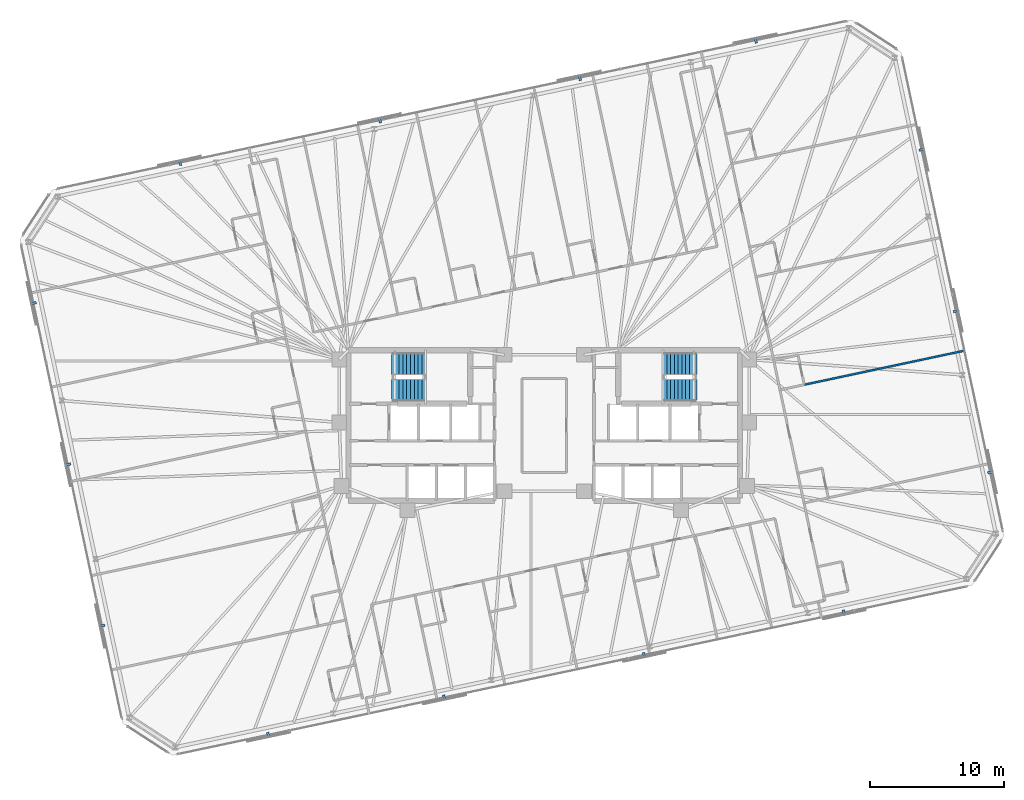
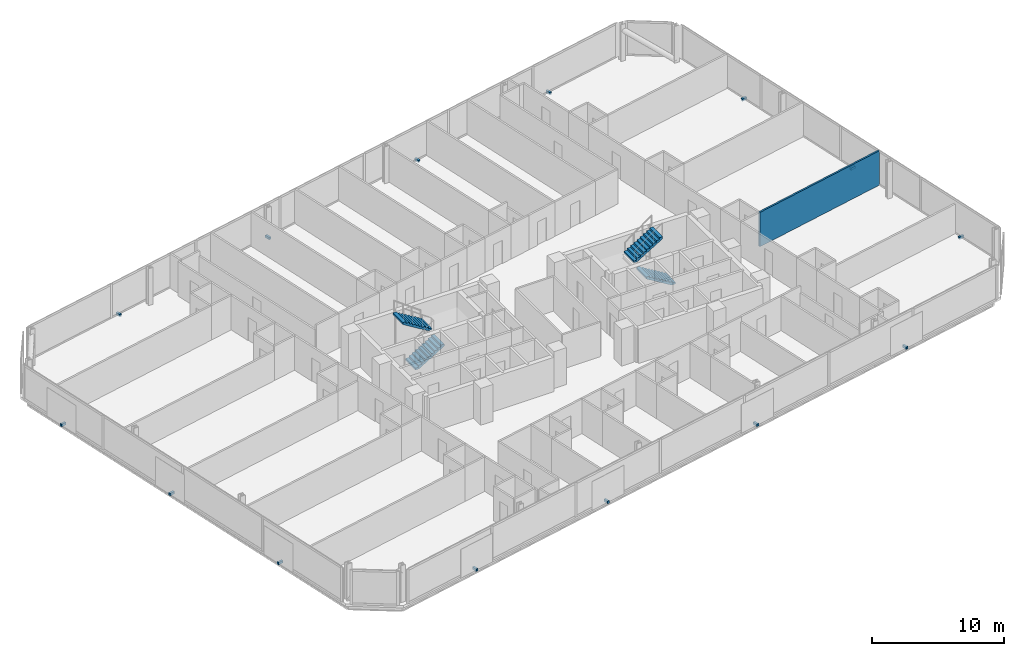
# One storey, part 19 of 20: 14 discrete accessories, 4 stair flights, 1 wall, 2 elements without a shape of their own.
"""IFC4 building model written with IfcOpenShell, lengths in metres."""

import ifcopenshell
import ifcopenshell.guid

model = None  # the IFC model being written
_history = None  # IfcOwnerHistory: only IFC2X3 demands one
_inside = {}  # id of a spatial element -> (the spatial element, [elements in it])
_under = {}  # id of a project, library or spatial element -> (it, [spatial elements below it])
_declared = {}  # id of a project -> (the project, [libraries it declares])
_typed = {}  # id of a type object -> (the type object, [elements of that type])
_made_of = {}  # id of a material, layer set ... -> (it, [elements and type objects made of it])


def new_model(schema):
    """Start an empty IFC model of exactly this schema.

    Asked for "IFC4X3", IfcOpenShell would pick the latest addendum, in which some entities
    have other attributes; the version numbers below select the first issue.
    IFC2X3 requires an IfcOwnerHistory on every rooted entity: one is made here for all.
    """
    global model, _history
    if schema == "IFC4X3":
        model = ifcopenshell.file(schema_version=(4, 3, 0, 0))
    else:
        model = ifcopenshell.file(schema=schema)
    _inside.clear()
    _under.clear()
    _declared.clear()
    _typed.clear()
    _made_of.clear()
    _history = None
    if model.schema == "IFC2X3":
        org = make("IfcOrganization", Name="unknown")
        user = make(
            "IfcPersonAndOrganization",
            ThePerson=make("IfcPerson", FamilyName="unknown"),
            TheOrganization=org,
        )
        app = make(
            "IfcApplication",
            ApplicationDeveloper=org,
            Version="unknown",
            ApplicationFullName="unknown",
            ApplicationIdentifier="unknown",
        )
        _history = make(
            "IfcOwnerHistory",
            OwningUser=user,
            OwningApplication=app,
            ChangeAction="ADDED",
            CreationDate=0,
        )
    return model


def make(cls, **values):
    """One entity of the class cls with the attributes given. An attribute that is None is left unset."""
    return model.create_entity(
        cls, **{name: value for name, value in values.items() if value is not None}
    )


def rooted(cls, **values):
    """An entity with a GlobalId (a new one), such as an element, a storey or a relation."""
    return make(cls, GlobalId=ifcopenshell.guid.new(), OwnerHistory=_history, **values)


def si_unit(unit_type, name, prefix=None):
    """IfcSIUnit, for example si_unit("LENGTHUNIT", "METRE", prefix="MILLI")."""
    return make("IfcSIUnit", UnitType=unit_type, Prefix=prefix, Name=name)


def assignment(units):
    """IfcUnitAssignment: the units of a project."""
    return None if units is None else make("IfcUnitAssignment", Units=units)


def point(xyz):
    """IfcCartesianPoint."""
    return None if xyz is None else make("IfcCartesianPoint", Coordinates=xyz)


def direction(xyz):
    """IfcDirection."""
    return None if xyz is None else make("IfcDirection", DirectionRatios=xyz)


def frame(location, z_axis=None, x_axis=None):
    """IfcAxis2Placement3D, a coordinate frame: its origin and axes. An axis left out is left unset."""
    return make(
        "IfcAxis2Placement3D",
        Location=point(location),
        Axis=direction(z_axis),
        RefDirection=direction(x_axis),
    )


def frame_2d(location, x_axis=None):
    """IfcAxis2Placement2D, a coordinate frame in the plane: its origin and x axis."""
    return make(
        "IfcAxis2Placement2D", Location=point(location), RefDirection=direction(x_axis)
    )


def origin():
    """The frame at (0, 0, 0) with its axes left unset."""
    return frame((0.0, 0.0, 0.0))


def origin_2d():
    """The frame at (0, 0) in the plane with its x axis left unset."""
    return frame_2d((0.0, 0.0))


def place(relative_to, where):
    """IfcLocalPlacement: puts the frame where relative to a parent placement (None: the world)."""
    return make(
        "IfcLocalPlacement", PlacementRelTo=relative_to, RelativePlacement=where
    )


def context(
    kind, dimensions, precision=None, world=None, true_north=None, identifier=None
):
    """IfcGeometricRepresentationContext, for example the 3D "Model" context."""
    return make(
        "IfcGeometricRepresentationContext",
        ContextIdentifier=identifier,
        ContextType=kind,
        CoordinateSpaceDimension=dimensions,
        Precision=precision,
        WorldCoordinateSystem=world,
        TrueNorth=true_north,
    )


def subcontext(parent, identifier, kind, view, scale=None):
    """IfcGeometricRepresentationSubContext, for example "Body" below "Model"."""
    return make(
        "IfcGeometricRepresentationSubContext",
        ContextIdentifier=identifier,
        ContextType=kind,
        ParentContext=parent,
        TargetScale=scale,
        TargetView=view,
    )


def project(units=None, contexts=None):
    """IfcProject with its units and contexts."""
    return rooted(
        "IfcProject",
        Name="project",
        RepresentationContexts=contexts,
        UnitsInContext=assignment(units),
    )


def spatial(cls, under=None, at=None, **own):
    """A site, building, storey or space (cls), placed at a placement, below another one or the project."""
    s = rooted(cls, ObjectPlacement=at, **own)
    if under is not None:
        _under.setdefault(under.id(), (under, []))[1].append(s)
    return s


def polyline(points):
    """IfcPolyline through the points."""
    return make("IfcPolyline", Points=[point(p) for p in points])


def profile(cls, at=None, kind="AREA", **sizes):
    """A parametric profile (cls). Its sizes go by their IFC names, for example OverallWidth=200.0."""
    return make(cls, ProfileType=kind, Position=at, **sizes)


def rectangle(**sizes):
    """IfcRectangleProfileDef."""
    return profile("IfcRectangleProfileDef", **sizes)


def outline(outer, holes=None, kind="AREA"):
    """IfcArbitraryClosedProfileDef: a profile drawn as a closed curve; with holes, ...WithVoids."""
    if holes is None:
        return make("IfcArbitraryClosedProfileDef", ProfileType=kind, OuterCurve=outer)
    return make(
        "IfcArbitraryProfileDefWithVoids",
        ProfileType=kind,
        OuterCurve=outer,
        InnerCurves=holes,
    )


def extrude(swept, where, along, depth):
    """IfcExtrudedAreaSolid: the profile swept, set in the frame where, extruded along a direction by depth."""
    return make(
        "IfcExtrudedAreaSolid",
        SweptArea=swept,
        Position=where,
        ExtrudedDirection=direction(along),
        Depth=depth,
    )


def shape(context_of_items, identifier, shape_type, items):
    """IfcShapeRepresentation: the items that make up one representation, for example the "Body"."""
    return make(
        "IfcShapeRepresentation",
        ContextOfItems=context_of_items,
        RepresentationIdentifier=identifier,
        RepresentationType=shape_type,
        Items=items,
    )


def material(Name=None, Category=None):
    """IfcMaterial."""
    return make("IfcMaterial", Name=Name, Category=Category)


def layer(
    of_material, thickness, ventilated=None, Name=None, Category=None, Priority=None
):
    """IfcMaterialLayer: one layer of a wall or slab, of a material (None: an air gap)."""
    return make(
        "IfcMaterialLayer",
        Material=of_material,
        LayerThickness=thickness,
        IsVentilated=ventilated,
        Name=Name,
        Category=Category,
        Priority=Priority,
    )


def layer_set(layers, Name=None):
    """IfcMaterialLayerSet."""
    return make("IfcMaterialLayerSet", MaterialLayers=layers, LayerSetName=Name)


def made_of(thing, what):
    """Note that an element or type object is made of a material, layer set ...; save() writes the relation."""
    if what is not None:
        _made_of.setdefault(what.id(), (what, []))[1].append(thing)
    return thing


def type_object(cls, material=None, **own):
    """A type object (cls), such as IfcWallType, which elements share."""
    return made_of(rooted(cls, **own), material)


def element(
    cls,
    number,
    at=None,
    inside=None,
    cuts=None,
    type_object=None,
    material=None,
    context=None,
    identifier="Body",
    shape_type=None,
    held_by="IfcProductDefinitionShape",
    body=None,
    shapes=None,
    **own,
):
    """One element of the class cls, such as IfcWall. Its Tag is "e" and its number.

    at: its placement. inside: the storey or other place that contains it. cuts: it is an
    opening in that element (IfcRelVoidsElement). A single representation is given by context,
    identifier, shape_type and body (its items); several are given by shapes. held_by: the class
    of the entity that holds the representations. save() writes the other relations.
    """
    e = rooted(cls, Tag="e%d" % number, ObjectPlacement=at, **own)
    if body is not None:
        shapes = [shape(context, identifier, shape_type, body)]
    if shapes is not None:
        e.Representation = make(held_by, Representations=shapes)
    if inside is not None:
        _inside.setdefault(inside.id(), (inside, []))[1].append(e)
    if cuts is not None:
        rooted(
            "IfcRelVoidsElement", RelatingBuildingElement=cuts, RelatedOpeningElement=e
        )
    if type_object is not None:
        _typed.setdefault(type_object.id(), (type_object, []))[1].append(e)
    return made_of(e, material)


def aggregate(whole, parts):
    """IfcRelAggregates: a whole, such as a stair, and the parts it consists of."""
    return rooted("IfcRelAggregates", RelatingObject=whole, RelatedObjects=parts)


def save(model, path):
    """Write the relations noted so far, then the file.

    IfcRelAggregates (storeys below a building ...), IfcRelContainedInSpatialStructure (elements
    in a storey), IfcRelDefinesByType, IfcRelAssociatesMaterial and IfcRelDeclares: one each for
    every whole, place, type object, material and project.
    """
    for whole, parts in _under.values():
        aggregate(whole, parts)
    for where, things in _inside.values():
        rooted(
            "IfcRelContainedInSpatialStructure",
            RelatedElements=things,
            RelatingStructure=where,
        )
    for kind, things in _typed.values():
        rooted("IfcRelDefinesByType", RelatedObjects=things, RelatingType=kind)
    for what, things in _made_of.values():
        rooted("IfcRelAssociatesMaterial", RelatedObjects=things, RelatingMaterial=what)
    for by, libraries in _declared.values():
        rooted("IfcRelDeclares", RelatingContext=by, RelatedDefinitions=libraries)
    model.write(path)


model = new_model("IFC4")

# Units and contexts
model_context = context("Model", 3, precision=1e-05, world=origin(), true_north=direction((0.0, 1.0)))
body_context = subcontext(model_context, "Body", "Model", "MODEL_VIEW")
ifc_project = project(units=[si_unit("LENGTHUNIT", "METRE"), si_unit("AREAUNIT", "SQUARE_METRE"), si_unit("VOLUMEUNIT", "CUBIC_METRE"), si_unit("PLANEANGLEUNIT", "RADIAN"), si_unit("MASSUNIT", "GRAM", prefix="KILO")], contexts=[model_context])

# Site, building, storey
site_placement = place(None, origin())
site = spatial("IfcSite", under=ifc_project, at=site_placement, CompositionType="ELEMENT")
building_placement = place(site_placement, origin())
building = spatial("IfcBuilding", under=site, at=building_placement, Name="Menara Jurai Vektor", CompositionType="ELEMENT")
storey_placement = place(building_placement, frame((0.0, 0.0, 185.39990234375)))
storey = spatial("IfcBuildingStorey", under=building, at=storey_placement, Name="L48", CompositionType="ELEMENT", Elevation=185.39990234375)

# Wall
ifc_material_1 = material(Name="Gypsum Fireboard Partition", Category="gypsum")
ifc_layer = layer(ifc_material_1, 0.14990234375)
ifc_layer_set = layer_set([ifc_layer], Name="Gypsum Fireboard Partition")
wall_type = type_object("IfcWallType", Name="INT-WALL-CORR-150", PredefinedType="PARTITIONING", material=ifc_layer_set)
wall_placement = place(storey_placement, frame((19.34130859375, 3.025146484375, 0.0), z_axis=(0.0, 0.0, 1.0), x_axis=(0.97814556055, 0.207921288896, 0.0)))
element("IfcWall", 1, at=wall_placement, inside=storey, type_object=wall_type, Name="Interior Wall IW-150 L48", PredefinedType="PARTITIONING", context=body_context, shape_type="SweptSolid", body=[
    extrude(rectangle(XDim=12.18701171875, YDim=0.14990234375, at=frame_2d((6.093505859375, 0.0))), origin(), (0.0, 0.0, 1.0), 3.175048828125),
])

# Stair, stair flights
ifc_material_2 = material(Name="Concrete C40/50", Category="concrete")
stair_type = type_object("IfcStairType", Name="STAIR-DOGLEG-1500", PredefinedType="HALF_TURN_STAIR", material=ifc_material_2)
stair_1_placement = place(storey_placement, origin())
stair_1 = element("IfcStair", 2, at=stair_1_placement, inside=storey, type_object=stair_type, Name="Protected Exit Stair ST1 L48", PredefinedType="HALF_TURN_STAIR")
stair_flight_type = type_object("IfcStairFlightType", Name="STAIR-FLIGHT-1500", PredefinedType="STRAIGHT", material=ifc_material_2)
stair_flight_1_placement = place(storey_placement, frame((-11.35009765625, 2.64990234375, 0.0), z_axis=(0.0, 0.0, 1.0), x_axis=(1.0, 0.0, 0.0)))
stair_flight_1 = element("IfcStairFlight", 3, at=stair_flight_1_placement, type_object=stair_flight_type, Name="ST1 flight 1", NumberOfRisers=10, NumberOfTreads=9, PredefinedType="STRAIGHT", RiserHeight=0.17, TreadLength=0.28, context=body_context, shape_type="SweptSolid", body=[
    extrude(outline(polyline([(0.0, 0.0), (0.0, 0.169921875), (0.280029296875, 0.169921875), (0.280029296875, 0.340087890625), (0.56005859375, 0.340087890625), (0.56005859375, 0.510009765625), (0.840087890625, 0.510009765625), (0.840087890625, 0.679931640625), (1.1201171875, 0.679931640625), (1.1201171875, 0.85009765625), (1.39990234375, 0.85009765625), (1.39990234375, 1.02001953125), (1.679931640625, 1.02001953125), (1.679931640625, 1.18994140625), (1.9599609375, 1.18994140625), (1.9599609375, 1.360107421875), (2.239990234375, 1.360107421875), (2.239990234375, 1.530029296875), (2.52001953125, 1.530029296875), (2.52001953125, 1.699951171875), (2.52001953125, 1.343017578125), (0.30810546875, 0.0), (0.0, 0.0)])), frame((0.0, 0.75, 0.0), z_axis=(0.0, -1.0, 0.0), x_axis=(1.0, 0.0, 0.0)), (0.0, 0.0, 1.0), 1.5),
])
stair_flight_2_placement = place(storey_placement, frame((-8.830078125, 4.550048828125, 1.7001953125), z_axis=(0.0, 0.0, 1.0), x_axis=(-1.0, 0.0, 0.0)))
stair_flight_2 = element("IfcStairFlight", 4, at=stair_flight_2_placement, type_object=stair_flight_type, Name="ST1 flight 2", NumberOfRisers=10, NumberOfTreads=9, PredefinedType="STRAIGHT", RiserHeight=0.17, TreadLength=0.28, context=body_context, shape_type="SweptSolid", body=[
    extrude(outline(polyline([(0.0, 0.0), (0.0, 0.169921875), (0.280029296875, 0.169921875), (0.280029296875, 0.340087890625), (0.56005859375, 0.340087890625), (0.56005859375, 0.510009765625), (0.840087890625, 0.510009765625), (0.840087890625, 0.679931640625), (1.1201171875, 0.679931640625), (1.1201171875, 0.85009765625), (1.39990234375, 0.85009765625), (1.39990234375, 1.02001953125), (1.679931640625, 1.02001953125), (1.679931640625, 1.18994140625), (1.9599609375, 1.18994140625), (1.9599609375, 1.360107421875), (2.239990234375, 1.360107421875), (2.239990234375, 1.530029296875), (2.52001953125, 1.530029296875), (2.52001953125, 1.699951171875), (2.52001953125, 1.343017578125), (0.30810546875, 0.0), (0.0, 0.0)])), frame((0.0, 0.75, 0.0), z_axis=(0.0, -1.0, 0.0), x_axis=(1.0, 0.0, 0.0)), (0.0, 0.0, 1.0), 1.5),
])
aggregate(stair_1, [stair_flight_1, stair_flight_2])

stair_2_placement = place(storey_placement, origin())
stair_2 = element("IfcStair", 5, at=stair_2_placement, inside=storey, type_object=stair_type, Name="Protected Exit Stair ST2 L48", PredefinedType="HALF_TURN_STAIR")
stair_flight_3_placement = place(storey_placement, frame((11.35009765625, 2.64990234375, 0.0), z_axis=(0.0, 0.0, 1.0), x_axis=(-1.0, 0.0, 0.0)))
stair_flight_3 = element("IfcStairFlight", 6, at=stair_flight_3_placement, type_object=stair_flight_type, Name="ST2 flight 1", NumberOfRisers=10, NumberOfTreads=9, PredefinedType="STRAIGHT", RiserHeight=0.17, TreadLength=0.28, context=body_context, shape_type="SweptSolid", body=[
    extrude(outline(polyline([(0.0, 0.0), (0.0, 0.169921875), (0.280029296875, 0.169921875), (0.280029296875, 0.340087890625), (0.56005859375, 0.340087890625), (0.56005859375, 0.510009765625), (0.840087890625, 0.510009765625), (0.840087890625, 0.679931640625), (1.1201171875, 0.679931640625), (1.1201171875, 0.85009765625), (1.39990234375, 0.85009765625), (1.39990234375, 1.02001953125), (1.679931640625, 1.02001953125), (1.679931640625, 1.18994140625), (1.9599609375, 1.18994140625), (1.9599609375, 1.360107421875), (2.239990234375, 1.360107421875), (2.239990234375, 1.530029296875), (2.52001953125, 1.530029296875), (2.52001953125, 1.699951171875), (2.52001953125, 1.343017578125), (0.30810546875, 0.0), (0.0, 0.0)])), frame((0.0, 0.75, 0.0), z_axis=(0.0, -1.0, 0.0), x_axis=(1.0, 0.0, 0.0)), (0.0, 0.0, 1.0), 1.5),
])
stair_flight_4_placement = place(storey_placement, frame((8.830078125, 4.550048828125, 1.7001953125), z_axis=(0.0, 0.0, 1.0), x_axis=(1.0, 0.0, 0.0)))
stair_flight_4 = element("IfcStairFlight", 7, at=stair_flight_4_placement, type_object=stair_flight_type, Name="ST2 flight 2", NumberOfRisers=10, NumberOfTreads=9, PredefinedType="STRAIGHT", RiserHeight=0.17, TreadLength=0.28, context=body_context, shape_type="SweptSolid", body=[
    extrude(outline(polyline([(0.0, 0.0), (0.0, 0.169921875), (0.280029296875, 0.169921875), (0.280029296875, 0.340087890625), (0.56005859375, 0.340087890625), (0.56005859375, 0.510009765625), (0.840087890625, 0.510009765625), (0.840087890625, 0.679931640625), (1.1201171875, 0.679931640625), (1.1201171875, 0.85009765625), (1.39990234375, 0.85009765625), (1.39990234375, 1.02001953125), (1.679931640625, 1.02001953125), (1.679931640625, 1.18994140625), (1.9599609375, 1.18994140625), (1.9599609375, 1.360107421875), (2.239990234375, 1.360107421875), (2.239990234375, 1.530029296875), (2.52001953125, 1.530029296875), (2.52001953125, 1.699951171875), (2.52001953125, 1.343017578125), (0.30810546875, 0.0), (0.0, 0.0)])), frame((0.0, 0.75, 0.0), z_axis=(0.0, -1.0, 0.0), x_axis=(1.0, 0.0, 0.0)), (0.0, 0.0, 1.0), 1.5),
])
aggregate(stair_2, [stair_flight_3, stair_flight_4])

# Discrete accessories
ifc_material_3 = material(Name="Steel S355", Category="steel")
discrete_accessory_type = type_object("IfcDiscreteAccessoryType", Name="ENV-ACC-BRACKET", PredefinedType="BRACKET", material=ifc_material_3)
for number, where, z_axis, x_axis, name in (
    (8, (-20.527099609375, -23.043701171875, -0.1298828125), (0.0, 0.0, 1.0), (0.978147600734, 0.207911690818, 0.0), "Solar Screen Stand-Off Bracket L48-S01"),
    (9, (-7.443115234375, -20.262451171875, -0.1298828125), (0.0, 0.0, 1.0), (0.978147600734, 0.207911690818, 0.0), "Solar Screen Stand-Off Bracket L48-S02"),
    (10, (7.424560546875, -17.102294921875, -0.1298828125), (0.0, 0.0, 1.0), (0.978147600734, 0.207911690818, 0.0), "Solar Screen Stand-Off Bracket L48-S03"),
    (11, (22.29248046875, -13.94189453125, -0.1298828125), (0.0, 0.0, 1.0), (0.978147600734, 0.207911690818, 0.0), "Solar Screen Stand-Off Bracket L48-S04"),
    (12, (33.19580078125, -3.491455078125, -0.1298828125), (0.0, 0.0, 1.0), (-0.207911690818, 0.978147600734, 0.0), "Solar Screen Stand-Off Bracket L48-S05"),
    (13, (30.6455078125, 8.50732421875, -0.1298828125), (0.0, 0.0, 1.0), (-0.207911690818, 0.978147600734, 0.0), "Solar Screen Stand-Off Bracket L48-S06"),
    (14, (28.09521484375, 20.505859375, -0.1298828125), (0.0, 0.0, 1.0), (-0.207911690818, 0.978147600734, 0.0), "Solar Screen Stand-Off Bracket L48-S07"),
    (15, (15.72705078125, 28.6435546875, -0.1298828125), (0.0, 0.0, 1.0), (-0.978147600734, -0.207911690818, 0.0), "Solar Screen Stand-Off Bracket L48-S08"),
    (16, (2.643310546875, 25.862548828125, -0.1298828125), (0.0, 0.0, 1.0), (-0.978147600734, -0.207911690818, 0.0), "Solar Screen Stand-Off Bracket L48-S09"),
    (17, (-12.224609375, 22.702392578125, -0.1298828125), (0.0, 0.0, 1.0), (-0.978147600734, -0.207911690818, 0.0), "Solar Screen Stand-Off Bracket L48-S10"),
    (18, (-27.092529296875, 19.5419921875, -0.1298828125), (0.0, 0.0, 1.0), (-0.978147600734, -0.207911690818, 0.0), "Solar Screen Stand-Off Bracket L48-S11"),
    (19, (-37.995849609375, 9.09130859375, -0.1298828125), (0.0, 0.0, 1.0), (0.207911690818, -0.978147600734, 0.0), "Solar Screen Stand-Off Bracket L48-S12"),
    (20, (-35.445556640625, -2.9072265625, -0.1298828125), (0.0, 0.0, 1.0), (0.207911690818, -0.978147600734, 0.0), "Solar Screen Stand-Off Bracket L48-S13"),
    (21, (-32.895263671875, -14.906005859375, -0.1298828125), (0.0, 0.0, 1.0), (0.207911690818, -0.978147600734, 0.0), "Solar Screen Stand-Off Bracket L48-S14"),
):
    element("IfcDiscreteAccessory", number, at=place(storey_placement, frame(where, z_axis=z_axis, x_axis=x_axis)), inside=storey, type_object=discrete_accessory_type, Name=name, PredefinedType="BRACKET", context=body_context, shape_type="SweptSolid", body=[
        extrude(rectangle(XDim=0.179931640625, YDim=0.43994140625, at=origin_2d()), origin(), (0.0, 0.0, 1.0), 0.219970703125),
    ])

save(model, "model.ifc")
